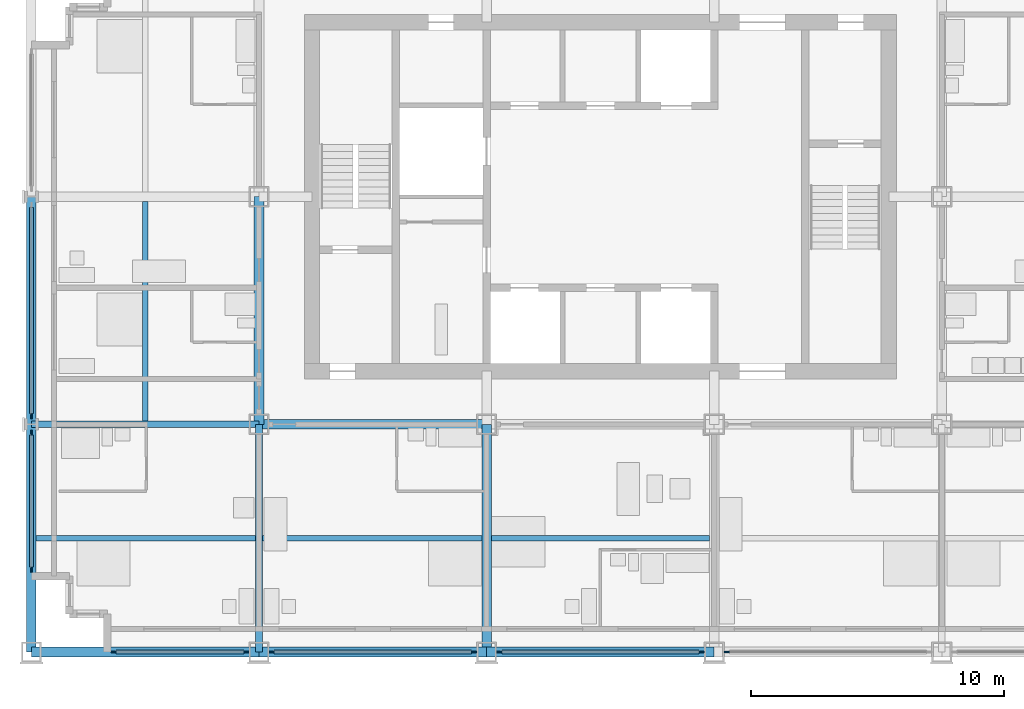
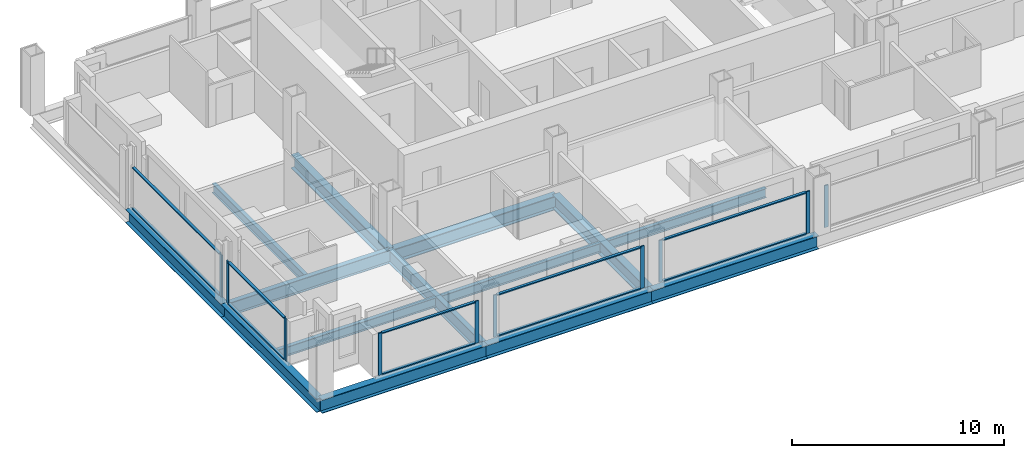
# One storey, part 2 of 13: 20 members, 14 beams, 6 elements without a shape of their own.
"""IFC4 building model written with IfcOpenShell, lengths in metres."""

from ifc_helpers import new_model, si_unit, direction, frame, origin, origin_2d, place, context, subcontext, project, spatial, rectangle, i_section, extrude, material, material_profile, profile_set, type_object, element, aggregate, save


model = new_model("IFC4")

# Units and contexts
model_context = context("Model", 3, precision=1e-05, world=origin(), true_north=direction((0.0, 1.0)))
body_context = subcontext(model_context, "Body", "Model", "MODEL_VIEW")
ifc_project = project(units=[si_unit("LENGTHUNIT", "METRE"), si_unit("AREAUNIT", "SQUARE_METRE"), si_unit("VOLUMEUNIT", "CUBIC_METRE"), si_unit("PLANEANGLEUNIT", "RADIAN"), si_unit("MASSUNIT", "GRAM", prefix="KILO")], contexts=[model_context])

# Site, building, storey
site_placement = place(None, origin())
site = spatial("IfcSite", under=ifc_project, at=site_placement, CompositionType="ELEMENT")
building_placement = place(site_placement, origin())
building = spatial("IfcBuilding", under=site, at=building_placement, Name="Loomwork Tower", CompositionType="ELEMENT")
storey_placement = place(building_placement, frame((0.0, 0.0, 180.800048828125)))
storey = spatial("IfcBuildingStorey", under=building, at=storey_placement, Name="L49", CompositionType="ELEMENT", Elevation=180.800048828125)

# Beams
ifc_material_1 = material(Name="Steel ASTM A992", Category="steel")
ifc_material_profile_1 = material_profile(ifc_material_1, i_section(OverallWidth=0.383544921875, OverallDepth=0.794921875, WebThickness=0.02099609375, FlangeThickness=0.0380859375, at=origin_2d()), Name="W30x235")
ifc_profile_set_1 = profile_set([ifc_material_profile_1], Name="Steel ASTM A992")
beam_type_1 = type_object("IfcBeamType", Name="CORE FLANK GIRDER W30x235", PredefinedType="BEAM", material=ifc_profile_set_1)
for number, where, z_axis, x_axis, name in (
    (1, (9.0, 9.0, -0.59765625), (1.0, 0.0, 0.0), (0.0, 1.0, 0.0), "Core Flank Girder E/3-E/4 L49"),
    (2, (9.0, 9.0, -0.59765625), (0.0, 1.0, 0.0), (-1.0, 0.0, 0.0), "Core Flank Girder E/3-F/3 L49"),
    (3, (18.0, 0.0, -0.59765625), (0.0, 1.0, 0.0), (-1.0, 0.0, 0.0), "Core Flank Girder D/4-E/4 L49"),
):
    element("IfcBeam", number, at=place(storey_placement, frame(where, z_axis=z_axis, x_axis=x_axis)), inside=storey, type_object=beam_type_1, Name=name, PredefinedType="BEAM", context=body_context, shape_type="SweptSolid", body=[
        extrude(i_section(OverallWidth=0.383544921875, OverallDepth=0.794921875, WebThickness=0.02099609375, FlangeThickness=0.0380859375, at=origin_2d()), origin(), (0.0, 0.0, 1.0), 9.0),
    ])
ifc_material_2 = material(Name="Steel ASTM A992", Category="steel")
ifc_material_profile_2 = material_profile(ifc_material_2, i_section(OverallWidth=0.2666015625, OverallDepth=0.761962890625, WebThickness=0.014404296875, FlangeThickness=0.021484375, at=origin_2d()), Name="W30x116")
ifc_profile_set_2 = profile_set([ifc_material_profile_2], Name="Steel ASTM A992")
beam_type_2 = type_object("IfcBeamType", Name="FLOOR GIRDER W30x116", PredefinedType="BEAM", material=ifc_profile_set_2)
for number, where, z_axis, x_axis, name in (
    (4, (0.0, 9.0, -0.5810546875), (1.0, 0.0, 0.0), (0.0, 1.0, 0.0), "Floor Girder E/2-E/3 L49"),
    (5, (9.0, 0.0, -0.5810546875), (0.0, 1.0, 0.0), (-1.0, 0.0, 0.0), "Floor Girder D/3-E/3 L49"),
):
    element("IfcBeam", number, at=place(storey_placement, frame(where, z_axis=z_axis, x_axis=x_axis)), inside=storey, type_object=beam_type_2, Name=name, PredefinedType="BEAM", context=body_context, shape_type="SweptSolid", body=[
        extrude(i_section(OverallWidth=0.2666015625, OverallDepth=0.761962890625, WebThickness=0.014404296875, FlangeThickness=0.021484375, at=origin_2d()), origin(), (0.0, 0.0, 1.0), 9.0),
    ])
ifc_material_3 = material(Name="Steel ASTM A992", Category="steel")
ifc_material_profile_3 = material_profile(ifc_material_3, i_section(OverallWidth=0.2109375, OverallDepth=0.53857421875, WebThickness=0.011474609375, FlangeThickness=0.018798828125, at=origin_2d()), Name="W21x73")
ifc_profile_set_3 = profile_set([ifc_material_profile_3], Name="Steel ASTM A992")
beam_type_3 = type_object("IfcBeamType", Name="FLOOR JOIST W21x73", PredefinedType="JOIST", material=ifc_profile_set_3)
beam_1_placement = place(storey_placement, frame((0.18994140625, 4.5, -0.46923828125), z_axis=(1.0, 0.0, 0.0), x_axis=(0.0, 1.0, 0.0)))
element("IfcBeam", 6, at=beam_1_placement, inside=storey, type_object=beam_type_3, Name="Floor Joist 0.000,4.500-9.000,4.500 L49", PredefinedType="JOIST", context=body_context, shape_type="SweptSolid", body=[
    extrude(i_section(OverallWidth=0.2109375, OverallDepth=0.53857421875, WebThickness=0.011474609375, FlangeThickness=0.018798828125, at=origin_2d()), origin(), (0.0, 0.0, 1.0), 8.677001953125),
])
for number, where, z_axis, x_axis, name in (
    (7, (4.5, 9.133056640625, -0.46923828125), (0.0, 1.0, 0.0), (-1.0, 0.0, 0.0), "Floor Joist 4.500,9.000-4.500,18.000 L49"),
    (8, (9.133056640625, 4.5, -0.46923828125), (1.0, 0.0, 0.0), (0.0, 1.0, 0.0), "Floor Joist 9.000,4.500-18.000,4.500 L49"),
):
    element("IfcBeam", number, at=place(storey_placement, frame(where, z_axis=z_axis, x_axis=x_axis)), inside=storey, type_object=beam_type_3, Name=name, PredefinedType="JOIST", context=body_context, shape_type="SweptSolid", body=[
        extrude(i_section(OverallWidth=0.2109375, OverallDepth=0.53857421875, WebThickness=0.011474609375, FlangeThickness=0.018798828125, at=origin_2d()), origin(), (0.0, 0.0, 1.0), 8.676025390625),
    ])
beam_2_placement = place(storey_placement, frame((18.19091796875, 4.5, -0.46923828125), z_axis=(1.0, 0.0, 0.0), x_axis=(0.0, 1.0, 0.0)))
element("IfcBeam", 9, at=beam_2_placement, inside=storey, type_object=beam_type_3, Name="Floor Joist 18.000,4.500-27.000,4.500 L49", PredefinedType="JOIST", context=body_context, shape_type="SweptSolid", body=[
    extrude(i_section(OverallWidth=0.2109375, OverallDepth=0.53857421875, WebThickness=0.011474609375, FlangeThickness=0.018798828125, at=origin_2d()), origin(), (0.0, 0.0, 1.0), 8.6181640625),
])

# Curtain wall, members
ifc_material_4 = material(Name="Aluminium curtain wall frame", Category="aluminium")
curtain_wall_type = type_object("IfcCurtainWallType", Name="Outer skin glazing hotel", PredefinedType="NOTDEFINED", material=ifc_material_4)
curtain_wall_1_placement = place(storey_placement, origin())
curtain_wall_1 = element("IfcCurtainWall", 10, at=curtain_wall_1_placement, inside=storey, type_object=curtain_wall_type, Name="Outer skin glazing hotel cw/S-0", PredefinedType="NOTDEFINED")
ifc_material_5 = material(Name="Aluminium curtain wall frame", Category="aluminium")
ifc_material_profile_4 = material_profile(ifc_material_5, rectangle(XDim=0.06494140625, YDim=0.199951171875, at=origin_2d()), Name="AL 65x200")
ifc_profile_set_4 = profile_set([ifc_material_profile_4], Name="Aluminium curtain wall frame")
member_type_1 = type_object("IfcMemberType", Name="Outer skin glazing hotel mullion", PredefinedType="MULLION", material=ifc_profile_set_4)
member_1_placement = place(storey_placement, frame((3.25, 0.0, 0.0), z_axis=(0.0, 0.0, 1.0), x_axis=(0.0, 1.0, 0.0)))
member_1 = element("IfcMember", 11, at=member_1_placement, type_object=member_type_1, Name="CW1 mullion 1", PredefinedType="MULLION", context=body_context, shape_type="SweptSolid", body=[
    extrude(rectangle(XDim=0.06494140625, YDim=0.199951171875, at=origin_2d()), origin(), (0.0, 0.0, 1.0), 2.420166015625),
])
member_2_placement = place(storey_placement, frame((8.5, 0.0, 0.0), z_axis=(0.0, 0.0, 1.0), x_axis=(0.0, 1.0, 0.0)))
member_2 = element("IfcMember", 12, at=member_2_placement, type_object=member_type_1, Name="CW1 mullion 2", PredefinedType="MULLION", context=body_context, shape_type="SweptSolid", body=[
    extrude(rectangle(XDim=0.06494140625, YDim=0.199951171875, at=origin_2d()), origin(), (0.0, 0.0, 1.0), 2.420166015625),
])

curtain_wall_2_placement = place(storey_placement, origin())
curtain_wall_2 = element("IfcCurtainWall", 13, at=curtain_wall_2_placement, inside=storey, type_object=curtain_wall_type, Name="Outer skin glazing hotel cw/S-9", PredefinedType="NOTDEFINED")
member_3_placement = place(storey_placement, frame((9.5, 0.0, 0.0), z_axis=(0.0, 0.0, 1.0), x_axis=(0.0, 1.0, 0.0)))
member_3 = element("IfcMember", 14, at=member_3_placement, type_object=member_type_1, Name="CW1 mullion 1", PredefinedType="MULLION", context=body_context, shape_type="SweptSolid", body=[
    extrude(rectangle(XDim=0.06494140625, YDim=0.199951171875, at=origin_2d()), origin(), (0.0, 0.0, 1.0), 2.420166015625),
])
member_4_placement = place(storey_placement, frame((17.5, 0.0, 0.0), z_axis=(0.0, 0.0, 1.0), x_axis=(0.0, 1.0, 0.0)))
member_4 = element("IfcMember", 15, at=member_4_placement, type_object=member_type_1, Name="CW1 mullion 2", PredefinedType="MULLION", context=body_context, shape_type="SweptSolid", body=[
    extrude(rectangle(XDim=0.06494140625, YDim=0.199951171875, at=origin_2d()), origin(), (0.0, 0.0, 1.0), 2.420166015625),
])

curtain_wall_3_placement = place(storey_placement, origin())
curtain_wall_3 = element("IfcCurtainWall", 16, at=curtain_wall_3_placement, inside=storey, type_object=curtain_wall_type, Name="Outer skin glazing hotel cw/S-18", PredefinedType="NOTDEFINED")
member_5_placement = place(storey_placement, frame((18.5, 0.0, 0.0), z_axis=(0.0, 0.0, 1.0), x_axis=(0.0, 1.0, 0.0)))
member_5 = element("IfcMember", 17, at=member_5_placement, type_object=member_type_1, Name="CW1 mullion 1", PredefinedType="MULLION", context=body_context, shape_type="SweptSolid", body=[
    extrude(rectangle(XDim=0.06494140625, YDim=0.199951171875, at=origin_2d()), origin(), (0.0, 0.0, 1.0), 2.420166015625),
])
member_6_placement = place(storey_placement, frame((26.5, 0.0, 0.0), z_axis=(0.0, 0.0, 1.0), x_axis=(0.0, 1.0, 0.0)))
member_6 = element("IfcMember", 18, at=member_6_placement, type_object=member_type_1, Name="CW1 mullion 2", PredefinedType="MULLION", context=body_context, shape_type="SweptSolid", body=[
    extrude(rectangle(XDim=0.06494140625, YDim=0.199951171875, at=origin_2d()), origin(), (0.0, 0.0, 1.0), 2.420166015625),
])

# Curtain wall, member
curtain_wall_4_placement = place(storey_placement, origin())
curtain_wall_4 = element("IfcCurtainWall", 19, at=curtain_wall_4_placement, inside=storey, type_object=curtain_wall_type, Name="Outer skin glazing hotel cw/S-27", PredefinedType="NOTDEFINED")
member_7_placement = place(storey_placement, frame((27.5, 0.0, 0.0), z_axis=(0.0, 0.0, 1.0), x_axis=(0.0, 1.0, 0.0)))
member_7 = element("IfcMember", 20, at=member_7_placement, type_object=member_type_1, Name="CW1 mullion 1", PredefinedType="MULLION", context=body_context, shape_type="SweptSolid", body=[
    extrude(rectangle(XDim=0.06494140625, YDim=0.199951171875, at=origin_2d()), origin(), (0.0, 0.0, 1.0), 2.420166015625),
])
aggregate(curtain_wall_4, [member_7])

# Curtain wall, members
curtain_wall_5_placement = place(storey_placement, origin())
curtain_wall_5 = element("IfcCurtainWall", 21, at=curtain_wall_5_placement, inside=storey, type_object=curtain_wall_type, Name="Outer skin glazing hotel cw/W-0", PredefinedType="NOTDEFINED")
member_8_placement = place(storey_placement, frame((0.0, 8.67529296875, 0.0), z_axis=(0.0, 0.0, 1.0), x_axis=(1.0, 0.0, 0.0)))
member_8 = element("IfcMember", 22, at=member_8_placement, type_object=member_type_1, Name="CW1 mullion 1", PredefinedType="MULLION", context=body_context, shape_type="SweptSolid", body=[
    extrude(rectangle(XDim=0.06494140625, YDim=0.199951171875, at=origin_2d()), origin(), (0.0, 0.0, 1.0), 2.420166015625),
])
member_9_placement = place(storey_placement, frame((0.0, 3.25, 0.0), z_axis=(0.0, 0.0, 1.0), x_axis=(1.0, 0.0, 0.0)))
member_9 = element("IfcMember", 23, at=member_9_placement, type_object=member_type_1, Name="CW1 mullion 2", PredefinedType="MULLION", context=body_context, shape_type="SweptSolid", body=[
    extrude(rectangle(XDim=0.06494140625, YDim=0.199951171875, at=origin_2d()), origin(), (0.0, 0.0, 1.0), 2.420166015625),
])

# Curtain wall, member
curtain_wall_6_placement = place(storey_placement, origin())
curtain_wall_6 = element("IfcCurtainWall", 24, at=curtain_wall_6_placement, inside=storey, type_object=curtain_wall_type, Name="Outer skin glazing hotel cw/W-9", PredefinedType="NOTDEFINED")
member_10_placement = place(storey_placement, frame((0.0, 9.32470703125, 0.0), z_axis=(0.0, 0.0, 1.0), x_axis=(1.0, 0.0, 0.0)))
member_10 = element("IfcMember", 25, at=member_10_placement, type_object=member_type_1, Name="CW1 mullion 2", PredefinedType="MULLION", context=body_context, shape_type="SweptSolid", body=[
    extrude(rectangle(XDim=0.06494140625, YDim=0.199951171875, at=origin_2d()), origin(), (0.0, 0.0, 1.0), 2.420166015625),
])

# Member
ifc_material_6 = material(Name="Aluminium curtain wall frame", Category="aluminium")
ifc_material_profile_5 = material_profile(ifc_material_6, rectangle(XDim=0.14990234375, YDim=0.06494140625, at=origin_2d()), Name="AL 65x150")
ifc_profile_set_5 = profile_set([ifc_material_profile_5], Name="Aluminium curtain wall frame")
member_type_2 = type_object("IfcMemberType", Name="Outer skin glazing hotel transom", PredefinedType="USERDEFINED", material=ifc_profile_set_5)
member_11_placement = place(storey_placement, frame((3.35009765625, 0.0, 0.032470703125), z_axis=(1.0, 0.0, 0.0), x_axis=(0.0, 1.0, 0.0)))
member_11 = element("IfcMember", 26, at=member_11_placement, type_object=member_type_2, Name="CW1 transom 1.1", ObjectType="TRANSOM", PredefinedType="USERDEFINED", context=body_context, shape_type="SweptSolid", body=[
    extrude(rectangle(XDim=0.14990234375, YDim=0.06494140625, at=origin_2d()), origin(), (0.0, 0.0, 1.0), 5.0498046875),
])

member_12_placement = place(storey_placement, frame((3.35009765625, 0.0, 2.3876953125), z_axis=(1.0, 0.0, 0.0), x_axis=(0.0, 1.0, 0.0)))
member_12 = element("IfcMember", 27, at=member_12_placement, type_object=member_type_2, Name="CW1 transom 1.2", ObjectType="TRANSOM", PredefinedType="USERDEFINED", context=body_context, shape_type="SweptSolid", body=[
    extrude(rectangle(XDim=0.14990234375, YDim=0.06494140625, at=origin_2d()), origin(), (0.0, 0.0, 1.0), 5.0498046875),
])

aggregate(curtain_wall_1, [member_1, member_2, member_11, member_12])

member_13_placement = place(storey_placement, frame((9.60009765625, 0.0, 0.032470703125), z_axis=(1.0, 0.0, 0.0), x_axis=(0.0, 1.0, 0.0)))
member_13 = element("IfcMember", 28, at=member_13_placement, type_object=member_type_2, Name="CW1 transom 1.1", ObjectType="TRANSOM", PredefinedType="USERDEFINED", context=body_context, shape_type="SweptSolid", body=[
    extrude(rectangle(XDim=0.14990234375, YDim=0.06494140625, at=origin_2d()), origin(), (0.0, 0.0, 1.0), 7.7998046875),
])

member_14_placement = place(storey_placement, frame((9.60009765625, 0.0, 2.3876953125), z_axis=(1.0, 0.0, 0.0), x_axis=(0.0, 1.0, 0.0)))
member_14 = element("IfcMember", 29, at=member_14_placement, type_object=member_type_2, Name="CW1 transom 1.2", ObjectType="TRANSOM", PredefinedType="USERDEFINED", context=body_context, shape_type="SweptSolid", body=[
    extrude(rectangle(XDim=0.14990234375, YDim=0.06494140625, at=origin_2d()), origin(), (0.0, 0.0, 1.0), 7.7998046875),
])

aggregate(curtain_wall_2, [member_3, member_4, member_13, member_14])

member_15_placement = place(storey_placement, frame((18.60009765625, 0.0, 0.032470703125), z_axis=(1.0, 0.0, 0.0), x_axis=(0.0, 1.0, 0.0)))
member_15 = element("IfcMember", 30, at=member_15_placement, type_object=member_type_2, Name="CW1 transom 1.1", ObjectType="TRANSOM", PredefinedType="USERDEFINED", context=body_context, shape_type="SweptSolid", body=[
    extrude(rectangle(XDim=0.14990234375, YDim=0.06494140625, at=origin_2d()), origin(), (0.0, 0.0, 1.0), 7.7998046875),
])

member_16_placement = place(storey_placement, frame((18.60009765625, 0.0, 2.3876953125), z_axis=(1.0, 0.0, 0.0), x_axis=(0.0, 1.0, 0.0)))
member_16 = element("IfcMember", 31, at=member_16_placement, type_object=member_type_2, Name="CW1 transom 1.2", ObjectType="TRANSOM", PredefinedType="USERDEFINED", context=body_context, shape_type="SweptSolid", body=[
    extrude(rectangle(XDim=0.14990234375, YDim=0.06494140625, at=origin_2d()), origin(), (0.0, 0.0, 1.0), 7.7998046875),
])

aggregate(curtain_wall_3, [member_5, member_6, member_15, member_16])

member_17_placement = place(storey_placement, frame((0.0, 8.5751953125, 0.032470703125), z_axis=(0.0, -1.0, 0.0), x_axis=(1.0, 0.0, 0.0)))
member_17 = element("IfcMember", 32, at=member_17_placement, type_object=member_type_2, Name="CW1 transom 1.1", ObjectType="TRANSOM", PredefinedType="USERDEFINED", context=body_context, shape_type="SweptSolid", body=[
    extrude(rectangle(XDim=0.14990234375, YDim=0.06494140625, at=origin_2d()), origin(), (0.0, 0.0, 1.0), 5.22509765625),
])

member_18_placement = place(storey_placement, frame((0.0, 8.5751953125, 2.3876953125), z_axis=(0.0, -1.0, 0.0), x_axis=(1.0, 0.0, 0.0)))
member_18 = element("IfcMember", 33, at=member_18_placement, type_object=member_type_2, Name="CW1 transom 1.2", ObjectType="TRANSOM", PredefinedType="USERDEFINED", context=body_context, shape_type="SweptSolid", body=[
    extrude(rectangle(XDim=0.14990234375, YDim=0.06494140625, at=origin_2d()), origin(), (0.0, 0.0, 1.0), 5.22509765625),
])

aggregate(curtain_wall_5, [member_8, member_9, member_17, member_18])

member_19_placement = place(storey_placement, frame((0.0, 17.5751953125, 0.032470703125), z_axis=(0.0, -1.0, 0.0), x_axis=(1.0, 0.0, 0.0)))
member_19 = element("IfcMember", 34, at=member_19_placement, type_object=member_type_2, Name="CW1 transom 1.1", ObjectType="TRANSOM", PredefinedType="USERDEFINED", context=body_context, shape_type="SweptSolid", body=[
    extrude(rectangle(XDim=0.14990234375, YDim=0.06494140625, at=origin_2d()), origin(), (0.0, 0.0, 1.0), 8.150390625),
])

member_20_placement = place(storey_placement, frame((0.0, 17.5751953125, 2.3876953125), z_axis=(0.0, -1.0, 0.0), x_axis=(1.0, 0.0, 0.0)))
member_20 = element("IfcMember", 35, at=member_20_placement, type_object=member_type_2, Name="CW1 transom 1.2", ObjectType="TRANSOM", PredefinedType="USERDEFINED", context=body_context, shape_type="SweptSolid", body=[
    extrude(rectangle(XDim=0.14990234375, YDim=0.06494140625, at=origin_2d()), origin(), (0.0, 0.0, 1.0), 8.150390625),
])

aggregate(curtain_wall_6, [member_10, member_19, member_20])

# Beams
ifc_material_7 = material(Name="Steel ASTM A992", Category="steel")
ifc_material_profile_6 = material_profile(ifc_material_7, i_section(OverallWidth=0.381103515625, OverallDepth=0.77978515625, WebThickness=0.01806640625, FlangeThickness=0.0302734375, at=origin_2d()), Name="W30x191")
ifc_profile_set_6 = profile_set([ifc_material_profile_6], Name="Steel ASTM A992")
beam_type_4 = type_object("IfcBeamType", Name="SPANDREL GIRDER W30x191", PredefinedType="SPANDREL", material=ifc_profile_set_6)
for number, where, z_axis, x_axis, name in (
    (36, (0.0, 0.0, -0.58984375), (1.0, 0.0, 0.0), (0.0, 1.0, 0.0), "Spandrel Girder D/2-D/3 L49"),
    (37, (9.0, 0.0, -0.58984375), (1.0, 0.0, 0.0), (0.0, 1.0, 0.0), "Spandrel Girder D/3-D/4 L49"),
    (38, (18.0, 0.0, -0.58984375), (1.0, 0.0, 0.0), (0.0, 1.0, 0.0), "Spandrel Girder D/4-D/5 L49"),
    (39, (0.0, 0.0, -0.58984375), (0.0, 1.0, 0.0), (-1.0, 0.0, 0.0), "Spandrel Girder D/2-E/2 L49"),
    (40, (0.0, 9.0, -0.58984375), (0.0, 1.0, 0.0), (-1.0, 0.0, 0.0), "Spandrel Girder E/2-F/2 L49"),
):
    element("IfcBeam", number, at=place(storey_placement, frame(where, z_axis=z_axis, x_axis=x_axis)), inside=storey, type_object=beam_type_4, Name=name, PredefinedType="SPANDREL", context=body_context, shape_type="SweptSolid", body=[
        extrude(i_section(OverallWidth=0.381103515625, OverallDepth=0.77978515625, WebThickness=0.01806640625, FlangeThickness=0.0302734375, at=origin_2d()), origin(), (0.0, 0.0, 1.0), 9.0),
    ])

save(model, "model.ifc")
